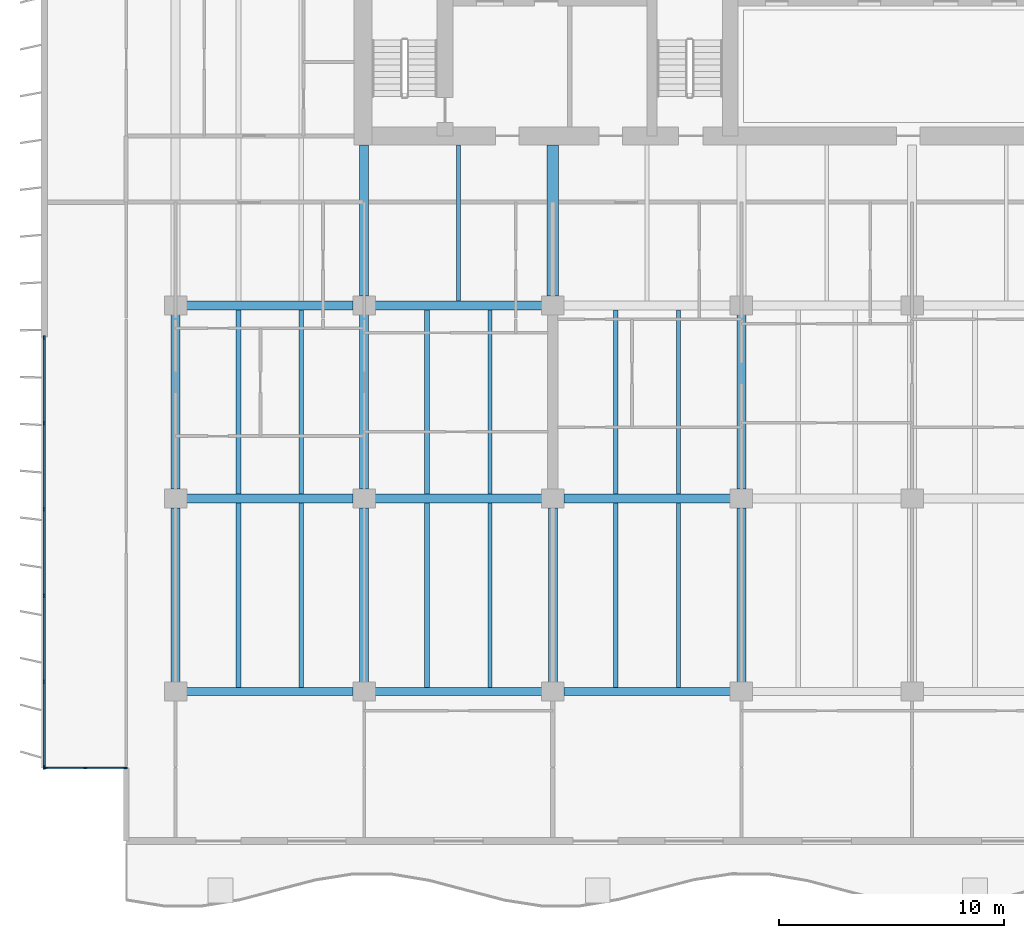
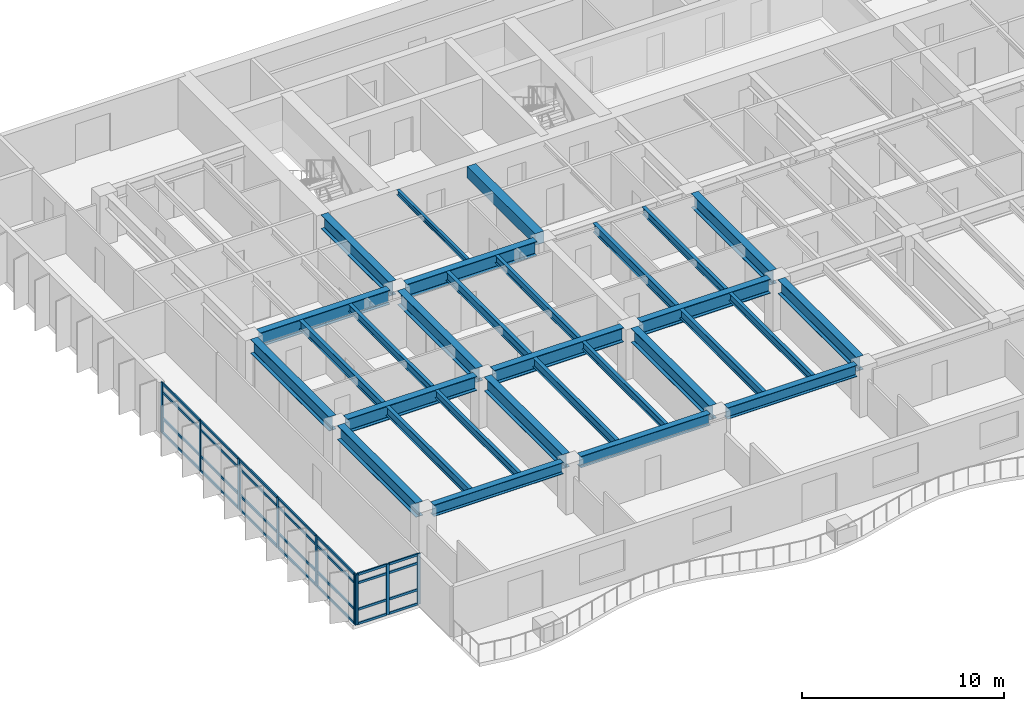
# One storey, part 2 of 15: 37 members, 30 beams, 2 elements without a shape of their own.
"""IFC4 building model written with IfcOpenShell, lengths in metres."""

import ifcopenshell
import ifcopenshell.guid

model = None  # the IFC model being written
_history = None  # IfcOwnerHistory: only IFC2X3 demands one
_inside = {}  # id of a spatial element -> (the spatial element, [elements in it])
_under = {}  # id of a project, library or spatial element -> (it, [spatial elements below it])
_declared = {}  # id of a project -> (the project, [libraries it declares])
_typed = {}  # id of a type object -> (the type object, [elements of that type])
_made_of = {}  # id of a material, layer set ... -> (it, [elements and type objects made of it])


def new_model(schema):
    """Start an empty IFC model of exactly this schema.

    Asked for "IFC4X3", IfcOpenShell would pick the latest addendum, in which some entities
    have other attributes; the version numbers below select the first issue.
    IFC2X3 requires an IfcOwnerHistory on every rooted entity: one is made here for all.
    """
    global model, _history
    if schema == "IFC4X3":
        model = ifcopenshell.file(schema_version=(4, 3, 0, 0))
    else:
        model = ifcopenshell.file(schema=schema)
    _inside.clear()
    _under.clear()
    _declared.clear()
    _typed.clear()
    _made_of.clear()
    _history = None
    if model.schema == "IFC2X3":
        org = make("IfcOrganization", Name="unknown")
        user = make(
            "IfcPersonAndOrganization",
            ThePerson=make("IfcPerson", FamilyName="unknown"),
            TheOrganization=org,
        )
        app = make(
            "IfcApplication",
            ApplicationDeveloper=org,
            Version="unknown",
            ApplicationFullName="unknown",
            ApplicationIdentifier="unknown",
        )
        _history = make(
            "IfcOwnerHistory",
            OwningUser=user,
            OwningApplication=app,
            ChangeAction="ADDED",
            CreationDate=0,
        )
    return model


def make(cls, **values):
    """One entity of the class cls with the attributes given. An attribute that is None is left unset."""
    return model.create_entity(
        cls, **{name: value for name, value in values.items() if value is not None}
    )


def rooted(cls, **values):
    """An entity with a GlobalId (a new one), such as an element, a storey or a relation."""
    return make(cls, GlobalId=ifcopenshell.guid.new(), OwnerHistory=_history, **values)


def si_unit(unit_type, name, prefix=None):
    """IfcSIUnit, for example si_unit("LENGTHUNIT", "METRE", prefix="MILLI")."""
    return make("IfcSIUnit", UnitType=unit_type, Prefix=prefix, Name=name)


def assignment(units):
    """IfcUnitAssignment: the units of a project."""
    return None if units is None else make("IfcUnitAssignment", Units=units)


def point(xyz):
    """IfcCartesianPoint."""
    return None if xyz is None else make("IfcCartesianPoint", Coordinates=xyz)


def direction(xyz):
    """IfcDirection."""
    return None if xyz is None else make("IfcDirection", DirectionRatios=xyz)


def frame(location, z_axis=None, x_axis=None):
    """IfcAxis2Placement3D, a coordinate frame: its origin and axes. An axis left out is left unset."""
    return make(
        "IfcAxis2Placement3D",
        Location=point(location),
        Axis=direction(z_axis),
        RefDirection=direction(x_axis),
    )


def frame_2d(location, x_axis=None):
    """IfcAxis2Placement2D, a coordinate frame in the plane: its origin and x axis."""
    return make(
        "IfcAxis2Placement2D", Location=point(location), RefDirection=direction(x_axis)
    )


def origin():
    """The frame at (0, 0, 0) with its axes left unset."""
    return frame((0.0, 0.0, 0.0))


def origin_2d():
    """The frame at (0, 0) in the plane with its x axis left unset."""
    return frame_2d((0.0, 0.0))


def place(relative_to, where):
    """IfcLocalPlacement: puts the frame where relative to a parent placement (None: the world)."""
    return make(
        "IfcLocalPlacement", PlacementRelTo=relative_to, RelativePlacement=where
    )


def context(
    kind, dimensions, precision=None, world=None, true_north=None, identifier=None
):
    """IfcGeometricRepresentationContext, for example the 3D "Model" context."""
    return make(
        "IfcGeometricRepresentationContext",
        ContextIdentifier=identifier,
        ContextType=kind,
        CoordinateSpaceDimension=dimensions,
        Precision=precision,
        WorldCoordinateSystem=world,
        TrueNorth=true_north,
    )


def subcontext(parent, identifier, kind, view, scale=None):
    """IfcGeometricRepresentationSubContext, for example "Body" below "Model"."""
    return make(
        "IfcGeometricRepresentationSubContext",
        ContextIdentifier=identifier,
        ContextType=kind,
        ParentContext=parent,
        TargetScale=scale,
        TargetView=view,
    )


def project(units=None, contexts=None):
    """IfcProject with its units and contexts."""
    return rooted(
        "IfcProject",
        Name="project",
        RepresentationContexts=contexts,
        UnitsInContext=assignment(units),
    )


def spatial(cls, under=None, at=None, **own):
    """A site, building, storey or space (cls), placed at a placement, below another one or the project."""
    s = rooted(cls, ObjectPlacement=at, **own)
    if under is not None:
        _under.setdefault(under.id(), (under, []))[1].append(s)
    return s


def profile(cls, at=None, kind="AREA", **sizes):
    """A parametric profile (cls). Its sizes go by their IFC names, for example OverallWidth=200.0."""
    return make(cls, ProfileType=kind, Position=at, **sizes)


def rectangle(**sizes):
    """IfcRectangleProfileDef."""
    return profile("IfcRectangleProfileDef", **sizes)


def i_section(**sizes):
    """IfcIShapeProfileDef."""
    return profile("IfcIShapeProfileDef", **sizes)


def extrude(swept, where, along, depth):
    """IfcExtrudedAreaSolid: the profile swept, set in the frame where, extruded along a direction by depth."""
    return make(
        "IfcExtrudedAreaSolid",
        SweptArea=swept,
        Position=where,
        ExtrudedDirection=direction(along),
        Depth=depth,
    )


def shape(context_of_items, identifier, shape_type, items):
    """IfcShapeRepresentation: the items that make up one representation, for example the "Body"."""
    return make(
        "IfcShapeRepresentation",
        ContextOfItems=context_of_items,
        RepresentationIdentifier=identifier,
        RepresentationType=shape_type,
        Items=items,
    )


def material(Name=None, Category=None):
    """IfcMaterial."""
    return make("IfcMaterial", Name=Name, Category=Category)


def layer(
    of_material, thickness, ventilated=None, Name=None, Category=None, Priority=None
):
    """IfcMaterialLayer: one layer of a wall or slab, of a material (None: an air gap)."""
    return make(
        "IfcMaterialLayer",
        Material=of_material,
        LayerThickness=thickness,
        IsVentilated=ventilated,
        Name=Name,
        Category=Category,
        Priority=Priority,
    )


def layer_set(layers, Name=None):
    """IfcMaterialLayerSet."""
    return make("IfcMaterialLayerSet", MaterialLayers=layers, LayerSetName=Name)


def material_profile(
    of_material, cross_section, Name=None, Category=None, Priority=None
):
    """IfcMaterialProfile: a cross section and its material."""
    return make(
        "IfcMaterialProfile",
        Name=Name,
        Material=of_material,
        Profile=cross_section,
        Priority=Priority,
        Category=Category,
    )


def profile_set(profiles, Name=None, composite=None):
    """IfcMaterialProfileSet."""
    return make(
        "IfcMaterialProfileSet",
        Name=Name,
        MaterialProfiles=profiles,
        CompositeProfile=composite,
    )


def made_of(thing, what):
    """Note that an element or type object is made of a material, layer set ...; save() writes the relation."""
    if what is not None:
        _made_of.setdefault(what.id(), (what, []))[1].append(thing)
    return thing


def type_object(cls, material=None, **own):
    """A type object (cls), such as IfcWallType, which elements share."""
    return made_of(rooted(cls, **own), material)


def element(
    cls,
    number,
    at=None,
    inside=None,
    cuts=None,
    type_object=None,
    material=None,
    context=None,
    identifier="Body",
    shape_type=None,
    held_by="IfcProductDefinitionShape",
    body=None,
    shapes=None,
    **own,
):
    """One element of the class cls, such as IfcWall. Its Tag is "e" and its number.

    at: its placement. inside: the storey or other place that contains it. cuts: it is an
    opening in that element (IfcRelVoidsElement). A single representation is given by context,
    identifier, shape_type and body (its items); several are given by shapes. held_by: the class
    of the entity that holds the representations. save() writes the other relations.
    """
    e = rooted(cls, Tag="e%d" % number, ObjectPlacement=at, **own)
    if body is not None:
        shapes = [shape(context, identifier, shape_type, body)]
    if shapes is not None:
        e.Representation = make(held_by, Representations=shapes)
    if inside is not None:
        _inside.setdefault(inside.id(), (inside, []))[1].append(e)
    if cuts is not None:
        rooted(
            "IfcRelVoidsElement", RelatingBuildingElement=cuts, RelatedOpeningElement=e
        )
    if type_object is not None:
        _typed.setdefault(type_object.id(), (type_object, []))[1].append(e)
    return made_of(e, material)


def aggregate(whole, parts):
    """IfcRelAggregates: a whole, such as a stair, and the parts it consists of."""
    return rooted("IfcRelAggregates", RelatingObject=whole, RelatedObjects=parts)


def save(model, path):
    """Write the relations noted so far, then the file.

    IfcRelAggregates (storeys below a building ...), IfcRelContainedInSpatialStructure (elements
    in a storey), IfcRelDefinesByType, IfcRelAssociatesMaterial and IfcRelDeclares: one each for
    every whole, place, type object, material and project.
    """
    for whole, parts in _under.values():
        aggregate(whole, parts)
    for where, things in _inside.values():
        rooted(
            "IfcRelContainedInSpatialStructure",
            RelatedElements=things,
            RelatingStructure=where,
        )
    for kind, things in _typed.values():
        rooted("IfcRelDefinesByType", RelatedObjects=things, RelatingType=kind)
    for what, things in _made_of.values():
        rooted("IfcRelAssociatesMaterial", RelatedObjects=things, RelatingMaterial=what)
    for by, libraries in _declared.values():
        rooted("IfcRelDeclares", RelatingContext=by, RelatedDefinitions=libraries)
    model.write(path)


model = new_model("IFC4")

# Units and contexts
model_context = context("Model", 3, precision=1e-05, world=origin(), true_north=direction((0.0, 1.0)))
body_context = subcontext(model_context, "Body", "Model", "MODEL_VIEW")
ifc_project = project(units=[si_unit("LENGTHUNIT", "METRE"), si_unit("AREAUNIT", "SQUARE_METRE"), si_unit("VOLUMEUNIT", "CUBIC_METRE"), si_unit("PLANEANGLEUNIT", "RADIAN"), si_unit("MASSUNIT", "GRAM", prefix="KILO")], contexts=[model_context])

# Site, building, storey
site_placement = place(None, origin())
site = spatial("IfcSite", under=ifc_project, at=site_placement, CompositionType="ELEMENT")
building_placement = place(site_placement, origin())
building = spatial("IfcBuilding", under=site, at=building_placement, Name="Caelmar Bay Residences", CompositionType="ELEMENT")
storey_placement = place(building_placement, frame((0.0, 0.0, 132.300048828125)))
storey = spatial("IfcBuildingStorey", under=building, at=storey_placement, Name="L36", CompositionType="ELEMENT", Elevation=132.300048828125)

# Beams
ifc_material_1 = material(Name="Steel ASTM A992 Grade 50", Category="steel")
ifc_material_profile_1 = material_profile(ifc_material_1, i_section(OverallWidth=0.40087890625, OverallDepth=0.861083984375, WebThickness=0.019775390625, FlangeThickness=0.032470703125, FilletRadius=0.017822265625, at=origin_2d()), Name="W33X221")
ifc_profile_set_1 = profile_set([ifc_material_profile_1], Name="Steel ASTM A992 Grade 50")
beam_type_1 = type_object("IfcBeamType", Name="BM-GRD-W33X221", PredefinedType="BEAM", material=ifc_profile_set_1)
beam_1_placement = place(storey_placement, frame((10.389892578125, 20.800048828125, 2.619384765625), z_axis=(1.0, 0.0, 0.0), x_axis=(0.0, 1.0, 0.0)))
element("IfcBeam", 1, at=beam_1_placement, inside=storey, type_object=beam_type_1, Name="L36 East-West Girder Y=20.80 (9.9-18.3)", PredefinedType="BEAM", context=body_context, shape_type="SweptSolid", body=[
    extrude(i_section(OverallWidth=0.40087890625, OverallDepth=0.861083984375, WebThickness=0.019775390625, FlangeThickness=0.032470703125, FilletRadius=0.017822265625, at=origin_2d()), origin(), (0.0, 0.0, 1.0), 7.420166015625),
])
beam_2_placement = place(storey_placement, frame((18.7900390625, 20.800048828125, 2.619384765625), z_axis=(1.0, 0.0, 0.0), x_axis=(0.0, 1.0, 0.0)))
element("IfcBeam", 2, at=beam_2_placement, inside=storey, type_object=beam_type_1, Name="L36 East-West Girder Y=20.80 (18.3-26.7)", PredefinedType="BEAM", context=body_context, shape_type="SweptSolid", body=[
    extrude(i_section(OverallWidth=0.40087890625, OverallDepth=0.861083984375, WebThickness=0.019775390625, FlangeThickness=0.032470703125, FilletRadius=0.017822265625, at=origin_2d()), origin(), (0.0, 0.0, 1.0), 7.419921875),
])
for number, where, z_axis, x_axis, name in (
    (3, (27.18994140625, 20.800048828125, 2.619384765625), (1.0, 0.0, 0.0), (0.0, 1.0, 0.0), "L36 East-West Girder Y=20.80 (26.7-35.1)"),
    (4, (10.389892578125, 29.39990234375, 2.619384765625), (1.0, 0.0, 0.0), (0.0, 1.0, 0.0), "L36 East-West Girder Y=29.40 (9.9-18.3)"),
):
    element("IfcBeam", number, at=place(storey_placement, frame(where, z_axis=z_axis, x_axis=x_axis)), inside=storey, type_object=beam_type_1, Name=name, PredefinedType="BEAM", context=body_context, shape_type="SweptSolid", body=[
        extrude(i_section(OverallWidth=0.40087890625, OverallDepth=0.861083984375, WebThickness=0.019775390625, FlangeThickness=0.032470703125, FilletRadius=0.017822265625, at=origin_2d()), origin(), (0.0, 0.0, 1.0), 7.420166015625),
    ])
beam_3_placement = place(storey_placement, frame((18.7900390625, 29.39990234375, 2.619384765625), z_axis=(1.0, 0.0, 0.0), x_axis=(0.0, 1.0, 0.0)))
element("IfcBeam", 5, at=beam_3_placement, inside=storey, type_object=beam_type_1, Name="L36 East-West Girder Y=29.40 (18.3-26.7)", PredefinedType="BEAM", context=body_context, shape_type="SweptSolid", body=[
    extrude(i_section(OverallWidth=0.40087890625, OverallDepth=0.861083984375, WebThickness=0.019775390625, FlangeThickness=0.032470703125, FilletRadius=0.017822265625, at=origin_2d()), origin(), (0.0, 0.0, 1.0), 7.419921875),
])
for number, where, z_axis, x_axis, name in (
    (6, (9.89990234375, 12.614990234375, 2.619384765625), (0.0, 1.0, 0.0), (-1.0, 0.0, 0.0), "L36 North-South Girder X=9.90 (12.2-20.8)"),
    (7, (9.89990234375, 21.215087890625, 2.619384765625), (0.0, 1.0, 0.0), (-1.0, 0.0, 0.0), "L36 North-South Girder X=9.90 (20.8-29.4)"),
):
    element("IfcBeam", number, at=place(storey_placement, frame(where, z_axis=z_axis, x_axis=x_axis)), inside=storey, type_object=beam_type_1, Name=name, PredefinedType="BEAM", context=body_context, shape_type="SweptSolid", body=[
        extrude(i_section(OverallWidth=0.40087890625, OverallDepth=0.861083984375, WebThickness=0.019775390625, FlangeThickness=0.032470703125, FilletRadius=0.017822265625, at=origin_2d()), origin(), (0.0, 0.0, 1.0), 7.77001953125),
    ])
beam_4_placement = place(storey_placement, frame((18.300048828125, 29.81494140625, 2.619384765625), z_axis=(0.0, 1.0, 0.0), x_axis=(-1.0, 0.0, 0.0)))
element("IfcBeam", 8, at=beam_4_placement, inside=storey, type_object=beam_type_1, Name="L36 Core Tie Girder X=18.30", PredefinedType="BEAM", context=body_context, shape_type="SweptSolid", body=[
    extrude(i_section(OverallWidth=0.40087890625, OverallDepth=0.861083984375, WebThickness=0.019775390625, FlangeThickness=0.032470703125, FilletRadius=0.017822265625, at=origin_2d()), origin(), (0.0, 0.0, 1.0), 6.735107421875),
])
for number, where, z_axis, x_axis, name in (
    (9, (18.300048828125, 12.614990234375, 2.619384765625), (0.0, 1.0, 0.0), (-1.0, 0.0, 0.0), "L36 North-South Girder X=18.30 (12.2-20.8)"),
    (10, (18.300048828125, 21.215087890625, 2.619384765625), (0.0, 1.0, 0.0), (-1.0, 0.0, 0.0), "L36 North-South Girder X=18.30 (20.8-29.4)"),
    (11, (26.699951171875, 12.614990234375, 2.619384765625), (0.0, 1.0, 0.0), (-1.0, 0.0, 0.0), "L36 North-South Girder X=26.70 (12.2-20.8)"),
    (12, (35.10009765625, 12.614990234375, 2.619384765625), (0.0, 1.0, 0.0), (-1.0, 0.0, 0.0), "L36 North-South Girder X=35.10 (12.2-20.8)"),
    (13, (35.10009765625, 21.215087890625, 2.619384765625), (0.0, 1.0, 0.0), (-1.0, 0.0, 0.0), "L36 North-South Girder X=35.10 (20.8-29.4)"),
):
    element("IfcBeam", number, at=place(storey_placement, frame(where, z_axis=z_axis, x_axis=x_axis)), inside=storey, type_object=beam_type_1, Name=name, PredefinedType="BEAM", context=body_context, shape_type="SweptSolid", body=[
        extrude(i_section(OverallWidth=0.40087890625, OverallDepth=0.861083984375, WebThickness=0.019775390625, FlangeThickness=0.032470703125, FilletRadius=0.017822265625, at=origin_2d()), origin(), (0.0, 0.0, 1.0), 7.77001953125),
    ])
ifc_material_profile_2 = material_profile(ifc_material_1, i_section(OverallWidth=0.1650390625, OverallDepth=0.31005859375, WebThickness=0.005859375, FlangeThickness=0.009765625, FilletRadius=0.007568359375, at=origin_2d()), Name="W12X26")
ifc_profile_set_2 = profile_set([ifc_material_profile_2], Name="Steel ASTM A992 Grade 50")
beam_type_2 = type_object("IfcBeamType", Name="BM-JST-W12X26", PredefinedType="JOIST", material=ifc_profile_set_2)
beam_5_placement = place(storey_placement, frame((22.5, 29.6005859375, 2.89501953125), z_axis=(0.0, 1.0, 0.0), x_axis=(-1.0, 0.0, 0.0)))
element("IfcBeam", 14, at=beam_5_placement, inside=storey, type_object=beam_type_2, Name="L36 Core-Band Composite Joist 29", PredefinedType="JOIST", context=body_context, shape_type="SweptSolid", body=[
    extrude(i_section(OverallWidth=0.1650390625, OverallDepth=0.31005859375, WebThickness=0.005859375, FlangeThickness=0.009765625, FilletRadius=0.007568359375, at=origin_2d()), origin(), (0.0, 0.0, 1.0), 6.949462890625),
])
ifc_material_profile_3 = material_profile(ifc_material_1, i_section(OverallWidth=0.19091796875, OverallDepth=0.45703125, WebThickness=0.009033203125, FlangeThickness=0.014404296875, FilletRadius=0.01025390625, at=origin_2d()), Name="W18X50")
ifc_profile_set_3 = profile_set([ifc_material_profile_3], Name="Steel ASTM A992 Grade 50")
beam_type_3 = type_object("IfcBeamType", Name="BM-JST-W18X50", PredefinedType="JOIST", material=ifc_profile_set_3)
for number, where, z_axis, x_axis, name in (
    (15, (15.5, 12.3779296875, 2.821533203125), (0.0, 1.0, 0.0), (-1.0, 0.0, 0.0), "L36 Composite Floor Joist 2"),
    (16, (23.89990234375, 12.3779296875, 2.821533203125), (0.0, 1.0, 0.0), (-1.0, 0.0, 0.0), "L36 Composite Floor Joist 4"),
    (17, (32.300048828125, 12.3779296875, 2.821533203125), (0.0, 1.0, 0.0), (-1.0, 0.0, 0.0), "L36 Composite Floor Joist 6"),
):
    element("IfcBeam", number, at=place(storey_placement, frame(where, z_axis=z_axis, x_axis=x_axis)), inside=storey, type_object=beam_type_3, Name=name, PredefinedType="JOIST", context=body_context, shape_type="SweptSolid", body=[
        extrude(i_section(OverallWidth=0.19091796875, OverallDepth=0.45703125, WebThickness=0.009033203125, FlangeThickness=0.014404296875, FilletRadius=0.01025390625, at=origin_2d()), origin(), (0.0, 0.0, 1.0), 8.2216796875),
    ])
for number, where, z_axis, x_axis, name in (
    (18, (15.5, 21.00048828125, 2.821533203125), (0.0, 1.0, 0.0), (-1.0, 0.0, 0.0), "L36 Composite Floor Joist 16"),
    (19, (23.89990234375, 21.00048828125, 2.821533203125), (0.0, 1.0, 0.0), (-1.0, 0.0, 0.0), "L36 Composite Floor Joist 18"),
    (20, (32.300048828125, 21.00048828125, 2.821533203125), (0.0, 1.0, 0.0), (-1.0, 0.0, 0.0), "L36 Composite Floor Joist 20"),
):
    element("IfcBeam", number, at=place(storey_placement, frame(where, z_axis=z_axis, x_axis=x_axis)), inside=storey, type_object=beam_type_3, Name=name, PredefinedType="JOIST", context=body_context, shape_type="SweptSolid", body=[
        extrude(i_section(OverallWidth=0.19091796875, OverallDepth=0.45703125, WebThickness=0.009033203125, FlangeThickness=0.014404296875, FilletRadius=0.01025390625, at=origin_2d()), origin(), (0.0, 0.0, 1.0), 8.198974609375),
    ])
ifc_material_profile_4 = material_profile(ifc_material_1, i_section(OverallWidth=0.2099609375, OverallDepth=0.535888671875, WebThickness=0.010986328125, FlangeThickness=0.017333984375, FilletRadius=0.0126953125, at=origin_2d()), Name="W21X68")
ifc_profile_set_4 = profile_set([ifc_material_profile_4], Name="Steel ASTM A992 Grade 50")
beam_type_4 = type_object("IfcBeamType", Name="BM-JST-W21X68", PredefinedType="JOIST", material=ifc_profile_set_4)
for number, where, z_axis, x_axis, name in (
    (21, (12.699951171875, 12.3779296875, 2.781982421875), (0.0, 1.0, 0.0), (-1.0, 0.0, 0.0), "L36 Composite Floor Joist 1"),
    (22, (21.10009765625, 12.3779296875, 2.781982421875), (0.0, 1.0, 0.0), (-1.0, 0.0, 0.0), "L36 Composite Floor Joist 3"),
    (23, (29.5, 12.3779296875, 2.781982421875), (0.0, 1.0, 0.0), (-1.0, 0.0, 0.0), "L36 Composite Floor Joist 5"),
):
    element("IfcBeam", number, at=place(storey_placement, frame(where, z_axis=z_axis, x_axis=x_axis)), inside=storey, type_object=beam_type_4, Name=name, PredefinedType="JOIST", context=body_context, shape_type="SweptSolid", body=[
        extrude(i_section(OverallWidth=0.2099609375, OverallDepth=0.535888671875, WebThickness=0.010986328125, FlangeThickness=0.017333984375, FilletRadius=0.0126953125, at=origin_2d()), origin(), (0.0, 0.0, 1.0), 8.2216796875),
    ])
for number, where, z_axis, x_axis, name in (
    (24, (12.699951171875, 21.00048828125, 2.781982421875), (0.0, 1.0, 0.0), (-1.0, 0.0, 0.0), "L36 Composite Floor Joist 15"),
    (25, (21.10009765625, 21.00048828125, 2.781982421875), (0.0, 1.0, 0.0), (-1.0, 0.0, 0.0), "L36 Composite Floor Joist 17"),
    (26, (29.5, 21.00048828125, 2.781982421875), (0.0, 1.0, 0.0), (-1.0, 0.0, 0.0), "L36 Composite Floor Joist 19"),
):
    element("IfcBeam", number, at=place(storey_placement, frame(where, z_axis=z_axis, x_axis=x_axis)), inside=storey, type_object=beam_type_4, Name=name, PredefinedType="JOIST", context=body_context, shape_type="SweptSolid", body=[
        extrude(i_section(OverallWidth=0.2099609375, OverallDepth=0.535888671875, WebThickness=0.010986328125, FlangeThickness=0.017333984375, FilletRadius=0.0126953125, at=origin_2d()), origin(), (0.0, 0.0, 1.0), 8.198974609375),
    ])
ifc_material_2 = material(Name="Concrete f'c 55 MPa (8,000 psi)", Category="concrete")
ifc_material_profile_5 = material_profile(ifc_material_2, rectangle(XDim=0.5, YDim=0.699951171875, at=origin_2d()), Name="RC-BM-500X700")
ifc_profile_set_5 = profile_set([ifc_material_profile_5], Name="Concrete f'c 55 MPa (8,000 psi)")
beam_type_5 = type_object("IfcBeamType", Name="BM-RC-500X700", PredefinedType="LINTEL", material=ifc_profile_set_5)
beam_6_placement = place(storey_placement, frame((26.699951171875, 29.81494140625, 2.699951171875), z_axis=(0.0, 1.0, 0.0), x_axis=(-1.0, 0.0, 0.0)))
element("IfcBeam", 27, at=beam_6_placement, inside=storey, type_object=beam_type_5, Name="L36 Shear-Wall Corridor Coupling Lintel W5", PredefinedType="LINTEL", context=body_context, shape_type="SweptSolid", body=[
    extrude(rectangle(XDim=0.5, YDim=0.699951171875, at=origin_2d()), origin(), (0.0, 0.0, 1.0), 6.735107421875),
])
ifc_material_profile_6 = material_profile(ifc_material_1, i_section(OverallWidth=0.35595703125, OverallDepth=0.696044921875, WebThickness=0.015380859375, FlangeThickness=0.02490234375, FilletRadius=0.01513671875, at=origin_2d()), Name="W27X146")
ifc_profile_set_6 = profile_set([ifc_material_profile_6], Name="Steel ASTM A992 Grade 50")
beam_type_6 = type_object("IfcBeamType", Name="BM-SPN-W27X146", PredefinedType="SPANDREL", material=ifc_profile_set_6)
beam_7_placement = place(storey_placement, frame((10.389892578125, 12.199951171875, 2.701904296875), z_axis=(1.0, 0.0, 0.0), x_axis=(0.0, 1.0, 0.0)))
element("IfcBeam", 28, at=beam_7_placement, inside=storey, type_object=beam_type_6, Name="L36 East-West Girder Y=12.20 (9.9-18.3)", PredefinedType="SPANDREL", context=body_context, shape_type="SweptSolid", body=[
    extrude(i_section(OverallWidth=0.35595703125, OverallDepth=0.696044921875, WebThickness=0.015380859375, FlangeThickness=0.02490234375, FilletRadius=0.01513671875, at=origin_2d()), origin(), (0.0, 0.0, 1.0), 7.420166015625),
])
beam_8_placement = place(storey_placement, frame((18.7900390625, 12.199951171875, 2.701904296875), z_axis=(1.0, 0.0, 0.0), x_axis=(0.0, 1.0, 0.0)))
element("IfcBeam", 29, at=beam_8_placement, inside=storey, type_object=beam_type_6, Name="L36 East-West Girder Y=12.20 (18.3-26.7)", PredefinedType="SPANDREL", context=body_context, shape_type="SweptSolid", body=[
    extrude(i_section(OverallWidth=0.35595703125, OverallDepth=0.696044921875, WebThickness=0.015380859375, FlangeThickness=0.02490234375, FilletRadius=0.01513671875, at=origin_2d()), origin(), (0.0, 0.0, 1.0), 7.419921875),
])
beam_9_placement = place(storey_placement, frame((27.18994140625, 12.199951171875, 2.701904296875), z_axis=(1.0, 0.0, 0.0), x_axis=(0.0, 1.0, 0.0)))
element("IfcBeam", 30, at=beam_9_placement, inside=storey, type_object=beam_type_6, Name="L36 East-West Girder Y=12.20 (26.7-35.1)", PredefinedType="SPANDREL", context=body_context, shape_type="SweptSolid", body=[
    extrude(i_section(OverallWidth=0.35595703125, OverallDepth=0.696044921875, WebThickness=0.015380859375, FlangeThickness=0.02490234375, FilletRadius=0.01513671875, at=origin_2d()), origin(), (0.0, 0.0, 1.0), 7.420166015625),
])

# Curtain wall, members
ifc_material_3 = material(Name="Anodised bronze aluminium 6063-T6 and laminated glass", Category="aluminium")
ifc_layer_1 = layer(ifc_material_3, 0.179931640625)
ifc_layer_set_1 = layer_set([ifc_layer_1], Name="Anodised bronze aluminium 6063-T6 and laminated glass")
curtain_wall_type_1 = type_object("IfcCurtainWallType", Name="CW6-NTC", PredefinedType="NOTDEFINED", material=ifc_layer_set_1)
curtain_wall_1_placement = place(storey_placement, origin())
curtain_wall_1 = element("IfcCurtainWall", 31, at=curtain_wall_1_placement, inside=storey, type_object=curtain_wall_type_1, Name="CW6 curtain wall L36", PredefinedType="NOTDEFINED")
ifc_material_4 = material(Name="Anodised bronze aluminium 6063-T6", Category="aluminium")
ifc_material_profile_7 = material_profile(ifc_material_4, rectangle(XDim=0.080078125, YDim=0.179931640625, at=origin_2d()), Name="CWM-80X180")
ifc_profile_set_7 = profile_set([ifc_material_profile_7], Name="Anodised bronze aluminium 6063-T6")
member_type_1 = type_object("IfcMemberType", Name="CWM-180", PredefinedType="MULLION", material=ifc_profile_set_7)
member_1_placement = place(storey_placement, frame((4.090087890625, 8.800048828125, 0.0), z_axis=(0.0, 0.0, 1.0), x_axis=(0.0, 1.0, 0.0)))
member_1 = element("IfcMember", 32, at=member_1_placement, type_object=member_type_1, Name="CW6 mullion 1", PredefinedType="MULLION", context=body_context, shape_type="SweptSolid", body=[
    extrude(rectangle(XDim=0.080078125, YDim=0.179931640625, at=origin_2d()), origin(), (0.0, 0.0, 1.0), 3.050048828125),
])
member_2_placement = place(storey_placement, frame((5.875, 8.800048828125, 0.0), z_axis=(0.0, 0.0, 1.0), x_axis=(0.0, 1.0, 0.0)))
member_2 = element("IfcMember", 33, at=member_2_placement, type_object=member_type_1, Name="CW6 mullion 2", PredefinedType="MULLION", context=body_context, shape_type="SweptSolid", body=[
    extrude(rectangle(XDim=0.080078125, YDim=0.179931640625, at=origin_2d()), origin(), (0.0, 0.0, 1.0), 3.050048828125),
])
member_3_placement = place(storey_placement, frame((7.659912109375, 8.800048828125, 0.0), z_axis=(0.0, 0.0, 1.0), x_axis=(0.0, 1.0, 0.0)))
member_3 = element("IfcMember", 34, at=member_3_placement, type_object=member_type_1, Name="CW6 mullion 3", PredefinedType="MULLION", context=body_context, shape_type="SweptSolid", body=[
    extrude(rectangle(XDim=0.080078125, YDim=0.179931640625, at=origin_2d()), origin(), (0.0, 0.0, 1.0), 3.050048828125),
])

ifc_layer_2 = layer(ifc_material_3, 0.179931640625)
ifc_layer_set_2 = layer_set([ifc_layer_2], Name="Anodised bronze aluminium 6063-T6 and laminated glass")
curtain_wall_type_2 = type_object("IfcCurtainWallType", Name="CW3-Z2", PredefinedType="NOTDEFINED", material=ifc_layer_set_2)
curtain_wall_2_placement = place(storey_placement, origin())
curtain_wall_2 = element("IfcCurtainWall", 35, at=curtain_wall_2_placement, inside=storey, type_object=curtain_wall_type_2, Name="CW3 curtain wall L36", PredefinedType="NOTDEFINED")
member_4_placement = place(storey_placement, frame((4.050048828125, 8.840087890625, 0.0), z_axis=(0.0, 0.0, 1.0), x_axis=(-1.0, 0.0, 0.0)))
member_4 = element("IfcMember", 36, at=member_4_placement, type_object=member_type_1, Name="CW3 mullion 1", PredefinedType="MULLION", context=body_context, shape_type="SweptSolid", body=[
    extrude(rectangle(XDim=0.080078125, YDim=0.179931640625, at=origin_2d()), origin(), (0.0, 0.0, 1.0), 3.050048828125),
])
member_5_placement = place(storey_placement, frame((4.050048828125, 12.639892578125, 0.0), z_axis=(0.0, 0.0, 1.0), x_axis=(-1.0, 0.0, 0.0)))
member_5 = element("IfcMember", 37, at=member_5_placement, type_object=member_type_1, Name="CW3 mullion 2", PredefinedType="MULLION", context=body_context, shape_type="SweptSolid", body=[
    extrude(rectangle(XDim=0.080078125, YDim=0.179931640625, at=origin_2d()), origin(), (0.0, 0.0, 1.0), 3.050048828125),
])
member_6_placement = place(storey_placement, frame((4.050048828125, 16.47998046875, 0.0), z_axis=(0.0, 0.0, 1.0), x_axis=(-1.0, 0.0, 0.0)))
member_6 = element("IfcMember", 38, at=member_6_placement, type_object=member_type_1, Name="CW3 mullion 3", PredefinedType="MULLION", context=body_context, shape_type="SweptSolid", body=[
    extrude(rectangle(XDim=0.080078125, YDim=0.179931640625, at=origin_2d()), origin(), (0.0, 0.0, 1.0), 3.050048828125),
])
member_7_placement = place(storey_placement, frame((4.050048828125, 20.320068359375, 0.0), z_axis=(0.0, 0.0, 1.0), x_axis=(-1.0, 0.0, 0.0)))
member_7 = element("IfcMember", 39, at=member_7_placement, type_object=member_type_1, Name="CW3 mullion 4", PredefinedType="MULLION", context=body_context, shape_type="SweptSolid", body=[
    extrude(rectangle(XDim=0.080078125, YDim=0.179931640625, at=origin_2d()), origin(), (0.0, 0.0, 1.0), 3.050048828125),
])
member_8_placement = place(storey_placement, frame((4.050048828125, 24.159912109375, 0.0), z_axis=(0.0, 0.0, 1.0), x_axis=(-1.0, 0.0, 0.0)))
member_8 = element("IfcMember", 40, at=member_8_placement, type_object=member_type_1, Name="CW3 mullion 5", PredefinedType="MULLION", context=body_context, shape_type="SweptSolid", body=[
    extrude(rectangle(XDim=0.080078125, YDim=0.179931640625, at=origin_2d()), origin(), (0.0, 0.0, 1.0), 3.050048828125),
])
member_9_placement = place(storey_placement, frame((4.050048828125, 27.9599609375, 0.0), z_axis=(0.0, 0.0, 1.0), x_axis=(-1.0, 0.0, 0.0)))
member_9 = element("IfcMember", 41, at=member_9_placement, type_object=member_type_1, Name="CW3 mullion 6", PredefinedType="MULLION", context=body_context, shape_type="SweptSolid", body=[
    extrude(rectangle(XDim=0.080078125, YDim=0.179931640625, at=origin_2d()), origin(), (0.0, 0.0, 1.0), 3.050048828125),
])

# Member
ifc_material_profile_8 = material_profile(ifc_material_4, rectangle(XDim=0.080078125, YDim=0.139892578125, at=origin_2d()), Name="CWT-80X140")
ifc_profile_set_8 = profile_set([ifc_material_profile_8], Name="Anodised bronze aluminium 6063-T6")
member_type_2 = type_object("IfcMemberType", Name="CWT-140", PredefinedType="NOTDEFINED", material=ifc_profile_set_8)
member_10_placement = place(storey_placement, frame((4.1298828125, 8.800048828125, 0.0400390625), z_axis=(1.0, 0.0, 0.0), x_axis=(0.0, 1.0, 0.0)))
member_10 = element("IfcMember", 42, at=member_10_placement, type_object=member_type_2, Name="CW6 transom 1.1", ObjectType="TRANSOM", PredefinedType="USERDEFINED", context=body_context, shape_type="SweptSolid", body=[
    extrude(rectangle(XDim=0.080078125, YDim=0.139892578125, at=origin_2d()), origin(), (0.0, 0.0, 1.0), 1.705078125),
])

member_11_placement = place(storey_placement, frame((4.1298828125, 8.800048828125, 0.89990234375), z_axis=(1.0, 0.0, 0.0), x_axis=(0.0, 1.0, 0.0)))
member_11 = element("IfcMember", 43, at=member_11_placement, type_object=member_type_2, Name="CW6 transom 1.2", ObjectType="TRANSOM", PredefinedType="USERDEFINED", context=body_context, shape_type="SweptSolid", body=[
    extrude(rectangle(XDim=0.080078125, YDim=0.139892578125, at=origin_2d()), origin(), (0.0, 0.0, 1.0), 1.705078125),
])

member_12_placement = place(storey_placement, frame((4.1298828125, 8.800048828125, 2.5), z_axis=(1.0, 0.0, 0.0), x_axis=(0.0, 1.0, 0.0)))
member_12 = element("IfcMember", 44, at=member_12_placement, type_object=member_type_2, Name="CW6 transom 1.3", ObjectType="TRANSOM", PredefinedType="USERDEFINED", context=body_context, shape_type="SweptSolid", body=[
    extrude(rectangle(XDim=0.080078125, YDim=0.139892578125, at=origin_2d()), origin(), (0.0, 0.0, 1.0), 1.705078125),
])

member_13_placement = place(storey_placement, frame((4.1298828125, 8.800048828125, 3.010009765625), z_axis=(1.0, 0.0, 0.0), x_axis=(0.0, 1.0, 0.0)))
member_13 = element("IfcMember", 45, at=member_13_placement, type_object=member_type_2, Name="CW6 transom 1.4", ObjectType="TRANSOM", PredefinedType="USERDEFINED", context=body_context, shape_type="SweptSolid", body=[
    extrude(rectangle(XDim=0.080078125, YDim=0.139892578125, at=origin_2d()), origin(), (0.0, 0.0, 1.0), 1.705078125),
])

member_14_placement = place(storey_placement, frame((5.9150390625, 8.800048828125, 0.0400390625), z_axis=(1.0, 0.0, 0.0), x_axis=(0.0, 1.0, 0.0)))
member_14 = element("IfcMember", 46, at=member_14_placement, type_object=member_type_2, Name="CW6 transom 2.1", ObjectType="TRANSOM", PredefinedType="USERDEFINED", context=body_context, shape_type="SweptSolid", body=[
    extrude(rectangle(XDim=0.080078125, YDim=0.139892578125, at=origin_2d()), origin(), (0.0, 0.0, 1.0), 1.705078125),
])

member_15_placement = place(storey_placement, frame((5.9150390625, 8.800048828125, 0.89990234375), z_axis=(1.0, 0.0, 0.0), x_axis=(0.0, 1.0, 0.0)))
member_15 = element("IfcMember", 47, at=member_15_placement, type_object=member_type_2, Name="CW6 transom 2.2", ObjectType="TRANSOM", PredefinedType="USERDEFINED", context=body_context, shape_type="SweptSolid", body=[
    extrude(rectangle(XDim=0.080078125, YDim=0.139892578125, at=origin_2d()), origin(), (0.0, 0.0, 1.0), 1.705078125),
])

member_16_placement = place(storey_placement, frame((5.9150390625, 8.800048828125, 2.5), z_axis=(1.0, 0.0, 0.0), x_axis=(0.0, 1.0, 0.0)))
member_16 = element("IfcMember", 48, at=member_16_placement, type_object=member_type_2, Name="CW6 transom 2.3", ObjectType="TRANSOM", PredefinedType="USERDEFINED", context=body_context, shape_type="SweptSolid", body=[
    extrude(rectangle(XDim=0.080078125, YDim=0.139892578125, at=origin_2d()), origin(), (0.0, 0.0, 1.0), 1.705078125),
])

member_17_placement = place(storey_placement, frame((5.9150390625, 8.800048828125, 3.010009765625), z_axis=(1.0, 0.0, 0.0), x_axis=(0.0, 1.0, 0.0)))
member_17 = element("IfcMember", 49, at=member_17_placement, type_object=member_type_2, Name="CW6 transom 2.4", ObjectType="TRANSOM", PredefinedType="USERDEFINED", context=body_context, shape_type="SweptSolid", body=[
    extrude(rectangle(XDim=0.080078125, YDim=0.139892578125, at=origin_2d()), origin(), (0.0, 0.0, 1.0), 1.705078125),
])

aggregate(curtain_wall_1, [member_1, member_2, member_3, member_10, member_11, member_12, member_13, member_14, member_15, member_16, member_17])

member_18_placement = place(storey_placement, frame((4.050048828125, 8.8798828125, 0.0400390625), z_axis=(0.0, 1.0, 0.0), x_axis=(-1.0, 0.0, 0.0)))
member_18 = element("IfcMember", 50, at=member_18_placement, type_object=member_type_2, Name="CW3 transom 1.1", ObjectType="TRANSOM", PredefinedType="USERDEFINED", context=body_context, shape_type="SweptSolid", body=[
    extrude(rectangle(XDim=0.080078125, YDim=0.139892578125, at=origin_2d()), origin(), (0.0, 0.0, 1.0), 3.72021484375),
])

member_19_placement = place(storey_placement, frame((4.050048828125, 8.8798828125, 0.89990234375), z_axis=(0.0, 1.0, 0.0), x_axis=(-1.0, 0.0, 0.0)))
member_19 = element("IfcMember", 51, at=member_19_placement, type_object=member_type_2, Name="CW3 transom 1.2", ObjectType="TRANSOM", PredefinedType="USERDEFINED", context=body_context, shape_type="SweptSolid", body=[
    extrude(rectangle(XDim=0.080078125, YDim=0.139892578125, at=origin_2d()), origin(), (0.0, 0.0, 1.0), 3.72021484375),
])

member_20_placement = place(storey_placement, frame((4.050048828125, 8.8798828125, 2.5), z_axis=(0.0, 1.0, 0.0), x_axis=(-1.0, 0.0, 0.0)))
member_20 = element("IfcMember", 52, at=member_20_placement, type_object=member_type_2, Name="CW3 transom 1.3", ObjectType="TRANSOM", PredefinedType="USERDEFINED", context=body_context, shape_type="SweptSolid", body=[
    extrude(rectangle(XDim=0.080078125, YDim=0.139892578125, at=origin_2d()), origin(), (0.0, 0.0, 1.0), 3.72021484375),
])

member_21_placement = place(storey_placement, frame((4.050048828125, 8.8798828125, 3.010009765625), z_axis=(0.0, 1.0, 0.0), x_axis=(-1.0, 0.0, 0.0)))
member_21 = element("IfcMember", 53, at=member_21_placement, type_object=member_type_2, Name="CW3 transom 1.4", ObjectType="TRANSOM", PredefinedType="USERDEFINED", context=body_context, shape_type="SweptSolid", body=[
    extrude(rectangle(XDim=0.080078125, YDim=0.139892578125, at=origin_2d()), origin(), (0.0, 0.0, 1.0), 3.72021484375),
])

member_22_placement = place(storey_placement, frame((4.050048828125, 12.679931640625, 0.0400390625), z_axis=(0.0, 1.0, 0.0), x_axis=(-1.0, 0.0, 0.0)))
member_22 = element("IfcMember", 54, at=member_22_placement, type_object=member_type_2, Name="CW3 transom 2.1", ObjectType="TRANSOM", PredefinedType="USERDEFINED", context=body_context, shape_type="SweptSolid", body=[
    extrude(rectangle(XDim=0.080078125, YDim=0.139892578125, at=origin_2d()), origin(), (0.0, 0.0, 1.0), 3.760009765625),
])

member_23_placement = place(storey_placement, frame((4.050048828125, 12.679931640625, 0.89990234375), z_axis=(0.0, 1.0, 0.0), x_axis=(-1.0, 0.0, 0.0)))
member_23 = element("IfcMember", 55, at=member_23_placement, type_object=member_type_2, Name="CW3 transom 2.2", ObjectType="TRANSOM", PredefinedType="USERDEFINED", context=body_context, shape_type="SweptSolid", body=[
    extrude(rectangle(XDim=0.080078125, YDim=0.139892578125, at=origin_2d()), origin(), (0.0, 0.0, 1.0), 3.760009765625),
])

member_24_placement = place(storey_placement, frame((4.050048828125, 12.679931640625, 2.5), z_axis=(0.0, 1.0, 0.0), x_axis=(-1.0, 0.0, 0.0)))
member_24 = element("IfcMember", 56, at=member_24_placement, type_object=member_type_2, Name="CW3 transom 2.3", ObjectType="TRANSOM", PredefinedType="USERDEFINED", context=body_context, shape_type="SweptSolid", body=[
    extrude(rectangle(XDim=0.080078125, YDim=0.139892578125, at=origin_2d()), origin(), (0.0, 0.0, 1.0), 3.760009765625),
])

member_25_placement = place(storey_placement, frame((4.050048828125, 12.679931640625, 3.010009765625), z_axis=(0.0, 1.0, 0.0), x_axis=(-1.0, 0.0, 0.0)))
member_25 = element("IfcMember", 57, at=member_25_placement, type_object=member_type_2, Name="CW3 transom 2.4", ObjectType="TRANSOM", PredefinedType="USERDEFINED", context=body_context, shape_type="SweptSolid", body=[
    extrude(rectangle(XDim=0.080078125, YDim=0.139892578125, at=origin_2d()), origin(), (0.0, 0.0, 1.0), 3.760009765625),
])

member_26_placement = place(storey_placement, frame((4.050048828125, 16.52001953125, 0.0400390625), z_axis=(0.0, 1.0, 0.0), x_axis=(-1.0, 0.0, 0.0)))
member_26 = element("IfcMember", 58, at=member_26_placement, type_object=member_type_2, Name="CW3 transom 3.1", ObjectType="TRANSOM", PredefinedType="USERDEFINED", context=body_context, shape_type="SweptSolid", body=[
    extrude(rectangle(XDim=0.080078125, YDim=0.139892578125, at=origin_2d()), origin(), (0.0, 0.0, 1.0), 3.760009765625),
])

member_27_placement = place(storey_placement, frame((4.050048828125, 16.52001953125, 0.89990234375), z_axis=(0.0, 1.0, 0.0), x_axis=(-1.0, 0.0, 0.0)))
member_27 = element("IfcMember", 59, at=member_27_placement, type_object=member_type_2, Name="CW3 transom 3.2", ObjectType="TRANSOM", PredefinedType="USERDEFINED", context=body_context, shape_type="SweptSolid", body=[
    extrude(rectangle(XDim=0.080078125, YDim=0.139892578125, at=origin_2d()), origin(), (0.0, 0.0, 1.0), 3.760009765625),
])

member_28_placement = place(storey_placement, frame((4.050048828125, 16.52001953125, 2.5), z_axis=(0.0, 1.0, 0.0), x_axis=(-1.0, 0.0, 0.0)))
member_28 = element("IfcMember", 60, at=member_28_placement, type_object=member_type_2, Name="CW3 transom 3.3", ObjectType="TRANSOM", PredefinedType="USERDEFINED", context=body_context, shape_type="SweptSolid", body=[
    extrude(rectangle(XDim=0.080078125, YDim=0.139892578125, at=origin_2d()), origin(), (0.0, 0.0, 1.0), 3.760009765625),
])

member_29_placement = place(storey_placement, frame((4.050048828125, 16.52001953125, 3.010009765625), z_axis=(0.0, 1.0, 0.0), x_axis=(-1.0, 0.0, 0.0)))
member_29 = element("IfcMember", 61, at=member_29_placement, type_object=member_type_2, Name="CW3 transom 3.4", ObjectType="TRANSOM", PredefinedType="USERDEFINED", context=body_context, shape_type="SweptSolid", body=[
    extrude(rectangle(XDim=0.080078125, YDim=0.139892578125, at=origin_2d()), origin(), (0.0, 0.0, 1.0), 3.760009765625),
])

member_30_placement = place(storey_placement, frame((4.050048828125, 20.360107421875, 0.0400390625), z_axis=(0.0, 1.0, 0.0), x_axis=(-1.0, 0.0, 0.0)))
member_30 = element("IfcMember", 62, at=member_30_placement, type_object=member_type_2, Name="CW3 transom 4.1", ObjectType="TRANSOM", PredefinedType="USERDEFINED", context=body_context, shape_type="SweptSolid", body=[
    extrude(rectangle(XDim=0.080078125, YDim=0.139892578125, at=origin_2d()), origin(), (0.0, 0.0, 1.0), 3.760009765625),
])

member_31_placement = place(storey_placement, frame((4.050048828125, 20.360107421875, 0.89990234375), z_axis=(0.0, 1.0, 0.0), x_axis=(-1.0, 0.0, 0.0)))
member_31 = element("IfcMember", 63, at=member_31_placement, type_object=member_type_2, Name="CW3 transom 4.2", ObjectType="TRANSOM", PredefinedType="USERDEFINED", context=body_context, shape_type="SweptSolid", body=[
    extrude(rectangle(XDim=0.080078125, YDim=0.139892578125, at=origin_2d()), origin(), (0.0, 0.0, 1.0), 3.760009765625),
])

member_32_placement = place(storey_placement, frame((4.050048828125, 20.360107421875, 2.5), z_axis=(0.0, 1.0, 0.0), x_axis=(-1.0, 0.0, 0.0)))
member_32 = element("IfcMember", 64, at=member_32_placement, type_object=member_type_2, Name="CW3 transom 4.3", ObjectType="TRANSOM", PredefinedType="USERDEFINED", context=body_context, shape_type="SweptSolid", body=[
    extrude(rectangle(XDim=0.080078125, YDim=0.139892578125, at=origin_2d()), origin(), (0.0, 0.0, 1.0), 3.760009765625),
])

member_33_placement = place(storey_placement, frame((4.050048828125, 20.360107421875, 3.010009765625), z_axis=(0.0, 1.0, 0.0), x_axis=(-1.0, 0.0, 0.0)))
member_33 = element("IfcMember", 65, at=member_33_placement, type_object=member_type_2, Name="CW3 transom 4.4", ObjectType="TRANSOM", PredefinedType="USERDEFINED", context=body_context, shape_type="SweptSolid", body=[
    extrude(rectangle(XDim=0.080078125, YDim=0.139892578125, at=origin_2d()), origin(), (0.0, 0.0, 1.0), 3.760009765625),
])

member_34_placement = place(storey_placement, frame((4.050048828125, 24.199951171875, 0.0400390625), z_axis=(0.0, 1.0, 0.0), x_axis=(-1.0, 0.0, 0.0)))
member_34 = element("IfcMember", 66, at=member_34_placement, type_object=member_type_2, Name="CW3 transom 5.1", ObjectType="TRANSOM", PredefinedType="USERDEFINED", context=body_context, shape_type="SweptSolid", body=[
    extrude(rectangle(XDim=0.080078125, YDim=0.139892578125, at=origin_2d()), origin(), (0.0, 0.0, 1.0), 3.719970703125),
])

member_35_placement = place(storey_placement, frame((4.050048828125, 24.199951171875, 0.89990234375), z_axis=(0.0, 1.0, 0.0), x_axis=(-1.0, 0.0, 0.0)))
member_35 = element("IfcMember", 67, at=member_35_placement, type_object=member_type_2, Name="CW3 transom 5.2", ObjectType="TRANSOM", PredefinedType="USERDEFINED", context=body_context, shape_type="SweptSolid", body=[
    extrude(rectangle(XDim=0.080078125, YDim=0.139892578125, at=origin_2d()), origin(), (0.0, 0.0, 1.0), 3.719970703125),
])

member_36_placement = place(storey_placement, frame((4.050048828125, 24.199951171875, 2.5), z_axis=(0.0, 1.0, 0.0), x_axis=(-1.0, 0.0, 0.0)))
member_36 = element("IfcMember", 68, at=member_36_placement, type_object=member_type_2, Name="CW3 transom 5.3", ObjectType="TRANSOM", PredefinedType="USERDEFINED", context=body_context, shape_type="SweptSolid", body=[
    extrude(rectangle(XDim=0.080078125, YDim=0.139892578125, at=origin_2d()), origin(), (0.0, 0.0, 1.0), 3.719970703125),
])

member_37_placement = place(storey_placement, frame((4.050048828125, 24.199951171875, 3.010009765625), z_axis=(0.0, 1.0, 0.0), x_axis=(-1.0, 0.0, 0.0)))
member_37 = element("IfcMember", 69, at=member_37_placement, type_object=member_type_2, Name="CW3 transom 5.4", ObjectType="TRANSOM", PredefinedType="USERDEFINED", context=body_context, shape_type="SweptSolid", body=[
    extrude(rectangle(XDim=0.080078125, YDim=0.139892578125, at=origin_2d()), origin(), (0.0, 0.0, 1.0), 3.719970703125),
])

aggregate(curtain_wall_2, [member_4, member_5, member_6, member_7, member_8, member_9, member_18, member_19, member_20, member_21, member_22, member_23, member_24, member_25, member_26, member_27, member_28, member_29, member_30, member_31, member_32, member_33, member_34, member_35, member_36, member_37])

save(model, "model.ifc")
